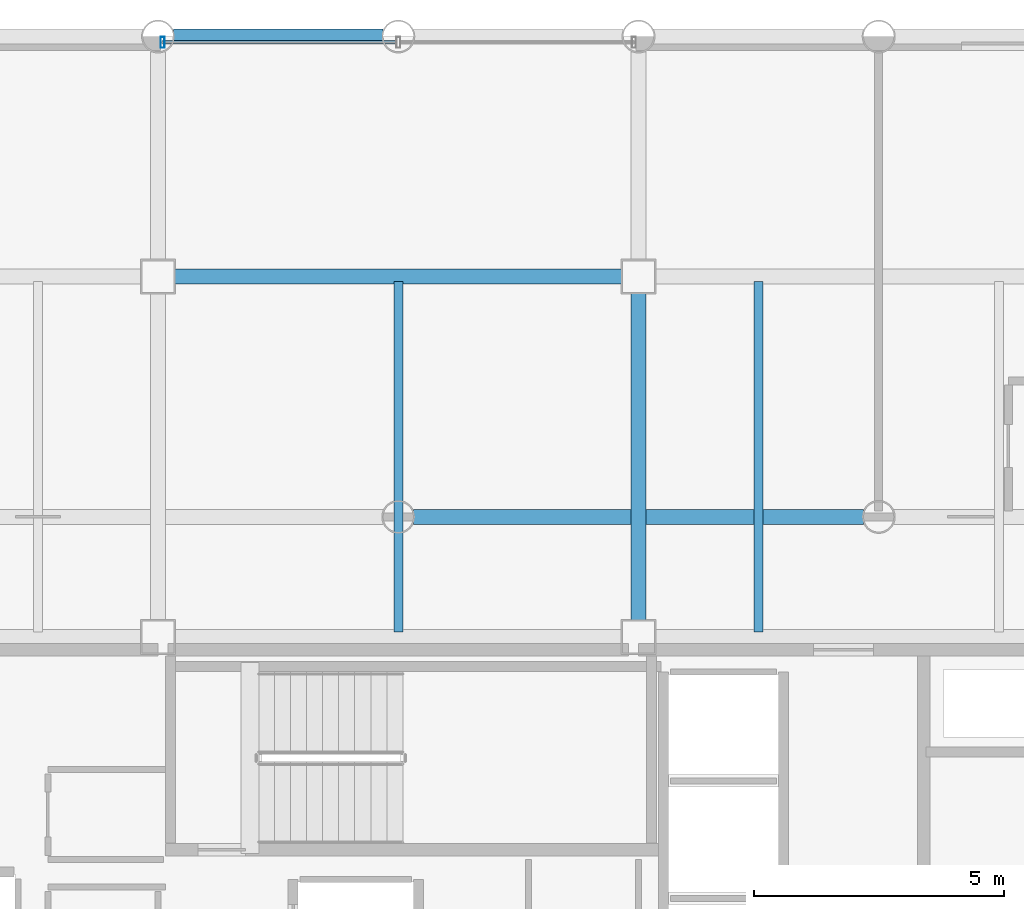
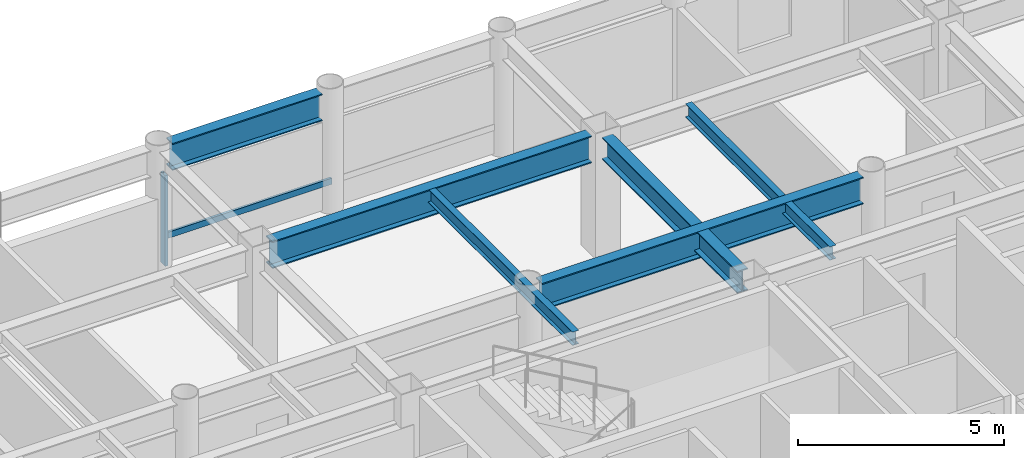
# One storey, part 11 of 19: 6 beams, 2 members, 1 element without a shape of its own.
"""IFC4 building model written with IfcOpenShell, lengths in metres."""

from ifc_helpers import new_model, si_unit, direction, frame, origin, origin_2d, place, context, subcontext, project, spatial, hollow_rectangle, i_section, extrude, material, layer, layer_set, material_profile, profile_set, type_object, element, aggregate, save


model = new_model("IFC4")

# Units and contexts
model_context = context("Model", 3, precision=1e-05, world=origin(), true_north=direction((0.0, 1.0)))
body_context = subcontext(model_context, "Body", "Model", "MODEL_VIEW")
ifc_project = project(units=[si_unit("LENGTHUNIT", "METRE"), si_unit("AREAUNIT", "SQUARE_METRE"), si_unit("VOLUMEUNIT", "CUBIC_METRE"), si_unit("PLANEANGLEUNIT", "RADIAN"), si_unit("MASSUNIT", "GRAM", prefix="KILO")], contexts=[model_context])

# Site, building, storey
site_placement = place(None, origin())
site = spatial("IfcSite", under=ifc_project, at=site_placement, CompositionType="ELEMENT")
building_placement = place(site_placement, origin())
building = spatial("IfcBuilding", under=site, at=building_placement, Name="Kallvorn Hotel Tower", CompositionType="ELEMENT")
storey_placement = place(building_placement, frame((0.0, 0.0, 169.199951171875)))
storey = spatial("IfcBuildingStorey", under=building, at=storey_placement, Name="L42", CompositionType="ELEMENT", Elevation=169.199951171875)

# Beams
ifc_material_1 = material(Name="Structural steel S355JR", Category="steel")
ifc_material_profile_1 = material_profile(ifc_material_1, i_section(OverallWidth=0.300048828125, OverallDepth=0.64990234375, WebThickness=0.01611328125, FlangeThickness=0.031005859375, at=origin_2d()), Name="HE 650 B")
ifc_profile_set_1 = profile_set([ifc_material_profile_1], Name="Structural steel S355JR")
beam_type_1 = type_object("IfcBeamType", Name="BM_HE650B", PredefinedType="BEAM", material=ifc_profile_set_1)
beam_1_placement = place(storey_placement, frame((4.800048828125, 7.52490234375, 3.195068359375), z_axis=(0.0, 1.0, 0.0), x_axis=(-1.0, 0.0, 0.0)))
element("IfcBeam", 1, at=beam_1_placement, inside=storey, type_object=beam_type_1, Name="L43 Primary Y-Girder 117", PredefinedType="BEAM", context=body_context, shape_type="SweptSolid", body=[
    extrude(i_section(OverallWidth=0.300048828125, OverallDepth=0.64990234375, WebThickness=0.01611328125, FlangeThickness=0.031005859375, at=origin_2d()), origin(), (0.0, 0.0, 1.0), 6.550048828125),
])
ifc_material_2 = material(Name="Structural steel S355JR", Category="steel")
ifc_material_profile_2 = material_profile(ifc_material_2, i_section(OverallWidth=0.300048828125, OverallDepth=0.800048828125, WebThickness=0.017578125, FlangeThickness=0.032958984375, at=origin_2d()), Name="HE 800 B")
ifc_profile_set_2 = profile_set([ifc_material_profile_2], Name="Structural steel S355JR")
beam_type_2 = type_object("IfcBeamType", Name="BM_HE800B", PredefinedType="BEAM", material=ifc_profile_set_2)
beam_2_placement = place(storey_placement, frame((0.304931640625, 9.60009765625, 3.1201171875), z_axis=(1.0, 0.0, 0.0), x_axis=(0.0, 1.0, 0.0)))
element("IfcBeam", 2, at=beam_2_placement, inside=storey, type_object=beam_type_2, Name="L43 Primary X-Girder 47", PredefinedType="BEAM", context=body_context, shape_type="SweptSolid", body=[
    extrude(i_section(OverallWidth=0.300048828125, OverallDepth=0.800048828125, WebThickness=0.017578125, FlangeThickness=0.032958984375, at=origin_2d()), origin(), (0.0, 0.0, 1.0), 8.989990234375),
])
beam_3_placement = place(storey_placement, frame((-4.47509765625, 14.39990234375, 3.1201171875), z_axis=(1.0, 0.0, 0.0), x_axis=(0.0, 1.0, 0.0)))
element("IfcBeam", 3, at=beam_3_placement, inside=storey, type_object=beam_type_2, Name="L43 Primary X-Girder 56", PredefinedType="BEAM", context=body_context, shape_type="SweptSolid", body=[
    extrude(i_section(OverallWidth=0.300048828125, OverallDepth=0.800048828125, WebThickness=0.017578125, FlangeThickness=0.032958984375, at=origin_2d()), origin(), (0.0, 0.0, 1.0), 8.9501953125),
])
beam_4_placement = place(storey_placement, frame((-4.4951171875, 19.199951171875, 3.1201171875), z_axis=(1.0, 0.0, 0.0), x_axis=(0.0, 1.0, 0.0)))
element("IfcBeam", 4, at=beam_4_placement, inside=storey, type_object=beam_type_2, Name="L43 Primary X-Girder 66", PredefinedType="BEAM", context=body_context, shape_type="SweptSolid", body=[
    extrude(i_section(OverallWidth=0.300048828125, OverallDepth=0.800048828125, WebThickness=0.017578125, FlangeThickness=0.032958984375, at=origin_2d()), origin(), (0.0, 0.0, 1.0), 4.190185546875),
])
ifc_material_3 = material(Name="Structural steel S355JR", Category="steel")
ifc_material_profile_3 = material_profile(ifc_material_3, i_section(OverallWidth=0.179931640625, OverallDepth=0.39990234375, WebThickness=0.008544921875, FlangeThickness=0.013427734375, at=origin_2d()), Name="IPE 400")
ifc_profile_set_3 = profile_set([ifc_material_profile_3], Name="Structural steel S355JR")
beam_type_3 = type_object("IfcBeamType", Name="BM_IPE400", PredefinedType="JOIST", material=ifc_profile_set_3)
for number, where, z_axis, x_axis, name in (
    (5, (0.0, 7.300048828125, 3.320068359375), (0.0, 1.0, 0.0), (-1.0, 0.0, 0.0), "L43 Secondary Composite Joist 201"),
    (6, (7.199951171875, 7.300048828125, 3.320068359375), (0.0, 1.0, 0.0), (-1.0, 0.0, 0.0), "L43 Secondary Composite Joist 203"),
):
    element("IfcBeam", number, at=place(storey_placement, frame(where, z_axis=z_axis, x_axis=x_axis)), inside=storey, type_object=beam_type_3, Name=name, PredefinedType="JOIST", context=body_context, shape_type="SweptSolid", body=[
        extrude(i_section(OverallWidth=0.179931640625, OverallDepth=0.39990234375, WebThickness=0.008544921875, FlangeThickness=0.013427734375, at=origin_2d()), origin(), (0.0, 0.0, 1.0), 7.0),
    ])

# Curtain wall, members
ifc_material_4 = material(Name="Thermally broken black-anodised aluminium AA 6063-T6", Category="aluminium")
ifc_layer = layer(ifc_material_4, 0.2099609375)
ifc_layer_set = layer_set([ifc_layer], Name="CW_SYS_4_HOTEL_MID")
curtain_wall_type = type_object("IfcCurtainWallType", Name="CW_SYS_4_HOTEL_MID", PredefinedType="USERDEFINED", material=ifc_layer_set)
curtain_wall_placement = place(storey_placement, origin())
curtain_wall = element("IfcCurtainWall", 7, at=curtain_wall_placement, inside=storey, type_object=curtain_wall_type, Name="L42 Dark-Glass Curtain Wall CW-L42-NC", ObjectType="UNITISED CURTAIN WALL", PredefinedType="USERDEFINED")
ifc_material_5 = material(Name="Thermally broken black-anodised aluminium AA 6063-T6", Category="aluminium")
ifc_material_profile_4 = material_profile(ifc_material_5, hollow_rectangle(XDim=0.080078125, YDim=0.219970703125, WallThickness=0.0048828125, at=origin_2d()), Name="MUL 220x80")
ifc_profile_set_4 = profile_set([ifc_material_profile_4], Name="Thermally broken black-anodised aluminium AA 6063-T6")
member_type_1 = type_object("IfcMemberType", Name="CW_MULLION_220x80", PredefinedType="MULLION", material=ifc_profile_set_4)
member_1_placement = place(storey_placement, frame((-4.7099609375, 19.080078125, 0.02001953125), z_axis=(0.0, 0.0, 1.0), x_axis=(1.0, 0.0, 0.0)))
member_1 = element("IfcMember", 8, at=member_1_placement, type_object=member_type_1, Name="CW-L42-NC Mullion 00", PredefinedType="MULLION", context=body_context, shape_type="SweptSolid", body=[
    extrude(hollow_rectangle(XDim=0.080078125, YDim=0.219970703125, WallThickness=0.0048828125, at=origin_2d()), origin(), (0.0, 0.0, 1.0), 2.679931640625),
])
ifc_material_6 = material(Name="Thermally broken black-anodised aluminium AA 6063-T6", Category="aluminium")
ifc_material_profile_5 = material_profile(ifc_material_6, hollow_rectangle(XDim=0.070068359375, YDim=0.179931640625, WallThickness=0.00390625, at=origin_2d()), Name="TRN 180x70")
ifc_profile_set_5 = profile_set([ifc_material_profile_5], Name="Thermally broken black-anodised aluminium AA 6063-T6")
member_type_2 = type_object("IfcMemberType", Name="CW_TRANSOM_180x70", PredefinedType="USERDEFINED", material=ifc_profile_set_5)
member_2_placement = place(storey_placement, frame((-4.7099609375, 19.080078125, 0.85009765625), z_axis=(1.0, 0.0, 0.0), x_axis=(0.0, 1.0, 0.0)))
member_2 = element("IfcMember", 9, at=member_2_placement, type_object=member_type_2, Name="CW-L42-NC Transom 00M", ObjectType="TRANSOM", PredefinedType="USERDEFINED", context=body_context, shape_type="SweptSolid", body=[
    extrude(hollow_rectangle(XDim=0.070068359375, YDim=0.179931640625, WallThickness=0.00390625, at=origin_2d()), origin(), (0.0, 0.0, 1.0), 4.669921875),
])
aggregate(curtain_wall, [member_1, member_2])

save(model, "model.ifc")
